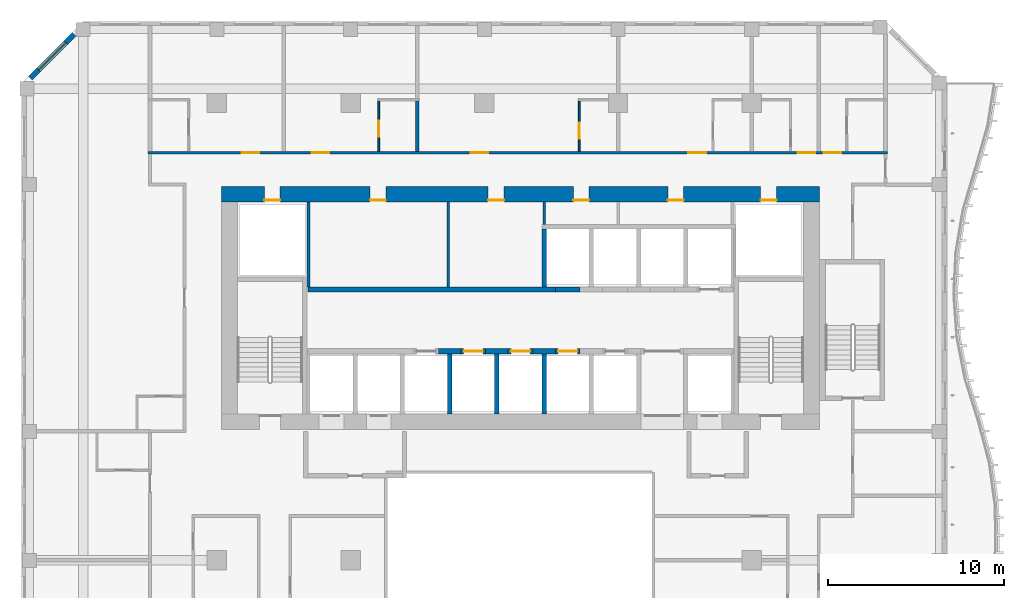
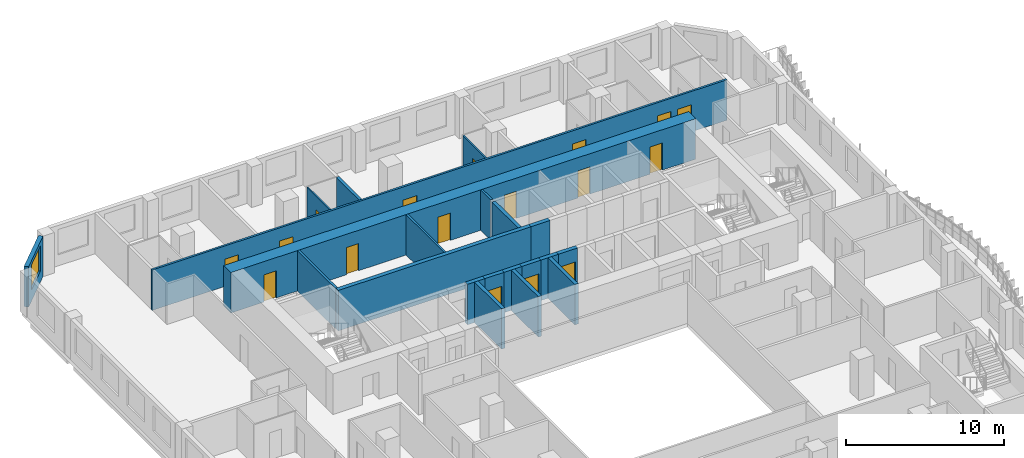
# One storey, part 7 of 20: 21 walls, 17 doors, 1 window, 18 openings.
"""IFC4 building model written with IfcOpenShell, lengths in metres."""

from ifc_helpers import new_model, si_unit, direction, frame, frame_2d, origin, place, context, subcontext, project, spatial, rectangle, extrude, source, transform, mapped, material, layer, layer_set, type_object, element, fill, save


model = new_model("IFC4")

# Units and contexts
model_context = context("Model", 3, precision=1e-05, world=origin(), true_north=direction((0.0, 1.0)))
body_context = subcontext(model_context, "Body", "Model", "MODEL_VIEW")
ifc_project = project(units=[si_unit("LENGTHUNIT", "METRE"), si_unit("AREAUNIT", "SQUARE_METRE"), si_unit("VOLUMEUNIT", "CUBIC_METRE"), si_unit("PLANEANGLEUNIT", "RADIAN"), si_unit("MASSUNIT", "GRAM", prefix="KILO")], contexts=[model_context])

# Site, building, storey
site_placement = place(None, origin())
site = spatial("IfcSite", under=ifc_project, at=site_placement, CompositionType="ELEMENT")
building_placement = place(site_placement, origin())
building = spatial("IfcBuilding", under=site, at=building_placement, Name="Kilnfold Tower and Market Hall", CompositionType="ELEMENT")
storey_placement = place(building_placement, frame((0.0, 0.0, 157.5)))
storey = spatial("IfcBuildingStorey", under=building, at=storey_placement, Name="L36", CompositionType="ELEMENT", Elevation=157.5)

# Wall, openings, doors
ifc_material_1 = material(Name="Gypsum board on steel studs", Category="steel")
ifc_layer_1 = layer(ifc_material_1, 0.14990234375)
ifc_layer_set_1 = layer_set([ifc_layer_1], Name="Gypsum board on steel studs")
wall_type_1 = type_object("IfcWallType", Name="WALL CORRIDOR 150", PredefinedType="PARTITIONING", material=ifc_layer_set_1)
wall_1_placement = place(storey_placement, frame((-20.05908203125, 23.800048828125, 0.0), z_axis=(0.0, 0.0, 1.0), x_axis=(1.0, 0.0, 0.0)))
wall_1 = element("IfcWall", 1, at=wall_1_placement, inside=storey, type_object=wall_type_1, Name="Partition LY23.21", PredefinedType="PARTITIONING", context=body_context, shape_type="SweptSolid", body=[
    extrude(rectangle(XDim=41.9091796875, YDim=0.14990234375, at=frame_2d((20.95458984375, 0.0))), origin(), (0.0, 0.0, 1.0), 3.1201171875),
])
opening_1_placement = place(wall_1_placement, frame((5.29296875, 0.0, 0.0)))
opening_1 = element("IfcOpeningElement", 2, at=opening_1_placement, cuts=wall_1, Name="Opening D1", PredefinedType="OPENING", context=body_context, shape_type="SweptSolid", body=[
    extrude(rectangle(XDim=1.0, YDim=2.10009765625, at=frame_2d((0.5, 1.050048828125))), frame((0.0, 0.0849609375, 0.0), z_axis=(0.0, -1.0, 0.0), x_axis=(1.0, 0.0, 0.0)), (0.0, 0.0, 1.0), 0.169921875),
])
opening_2_placement = place(wall_1_placement, frame((9.27490234375, 0.0, 0.0)))
opening_2 = element("IfcOpeningElement", 3, at=opening_2_placement, cuts=wall_1, Name="Opening D1", PredefinedType="OPENING", context=body_context, shape_type="SweptSolid", body=[
    extrude(rectangle(XDim=1.0, YDim=2.10009765625, at=frame_2d((0.5, 1.050048828125))), frame((0.0, 0.0849609375, 0.0), z_axis=(0.0, -1.0, 0.0), x_axis=(1.0, 0.0, 0.0)), (0.0, 0.0, 1.0), 0.169921875),
])
opening_3_placement = place(wall_1_placement, frame((18.2919921875, 0.0, 0.0)))
opening_3 = element("IfcOpeningElement", 4, at=opening_3_placement, cuts=wall_1, Name="Opening D1", PredefinedType="OPENING", context=body_context, shape_type="SweptSolid", body=[
    extrude(rectangle(XDim=1.0, YDim=2.10009765625, at=frame_2d((0.5, 1.050048828125))), frame((0.0, 0.0849609375, 0.0), z_axis=(0.0, -1.0, 0.0), x_axis=(1.0, 0.0, 0.0)), (0.0, 0.0, 1.0), 0.169921875),
])
opening_4_placement = place(wall_1_placement, frame((30.635986328125, 0.0, 0.0)))
opening_4 = element("IfcOpeningElement", 5, at=opening_4_placement, cuts=wall_1, Name="Opening D1", PredefinedType="OPENING", context=body_context, shape_type="SweptSolid", body=[
    extrude(rectangle(XDim=1.0, YDim=2.10009765625, at=frame_2d((0.5, 1.050048828125))), frame((0.0, 0.0849609375, 0.0), z_axis=(0.0, -1.0, 0.0), x_axis=(1.0, 0.0, 0.0)), (0.0, 0.0, 1.0), 0.169921875),
])
opening_5_placement = place(wall_1_placement, frame((36.827880859375, 0.0, 0.0)))
opening_5 = element("IfcOpeningElement", 6, at=opening_5_placement, cuts=wall_1, Name="Opening D1", PredefinedType="OPENING", context=body_context, shape_type="SweptSolid", body=[
    extrude(rectangle(XDim=1.0, YDim=2.10009765625, at=frame_2d((0.5, 1.050048828125))), frame((0.0, 0.0849609375, 0.0), z_axis=(0.0, -1.0, 0.0), x_axis=(1.0, 0.0, 0.0)), (0.0, 0.0, 1.0), 0.169921875),
])
opening_6_placement = place(wall_1_placement, frame((38.31396484375, 0.0, 0.0)))
opening_6 = element("IfcOpeningElement", 7, at=opening_6_placement, cuts=wall_1, Name="Opening D1", PredefinedType="OPENING", context=body_context, shape_type="SweptSolid", body=[
    extrude(rectangle(XDim=1.0, YDim=2.10009765625, at=frame_2d((0.5, 1.050048828125))), frame((0.0, 0.0849609375, 0.0), z_axis=(0.0, -1.0, 0.0), x_axis=(1.0, 0.0, 0.0)), (0.0, 0.0, 1.0), 0.169921875),
])
ifc_material_2 = material(Name="Timber veneer door leaf in steel frame", Category="steel")
door_type_1 = type_object("IfcDoorType", Name="DOOR ENTRY 1000 X2100", OperationType="NOTDEFINED", PredefinedType="DOOR", material=ifc_material_2)
door_1_placement = place(opening_1_placement, origin())
door_1 = element("IfcDoor", 8, at=door_1_placement, inside=storey, type_object=door_type_1, Name="Door D1", OperationType="SINGLE_SWING_LEFT", OverallHeight=2.10009765625, OverallWidth=1.0, PredefinedType="DOOR", context=body_context, shape_type="SweptSolid", body=[
    extrude(rectangle(XDim=1.0, YDim=2.10009765625, at=frame_2d((0.5, 1.050048828125))), frame((0.0, 0.02490234375, 0.0), z_axis=(0.0, -1.0, 0.0), x_axis=(1.0, 0.0, 0.0)), (0.0, 0.0, 1.0), 0.050048828125),
])
fill(opening_1, door_1)
door_2_placement = place(opening_2_placement, origin())
door_2 = element("IfcDoor", 9, at=door_2_placement, inside=storey, type_object=door_type_1, Name="Door D1", OperationType="SINGLE_SWING_LEFT", OverallHeight=2.10009765625, OverallWidth=1.0, PredefinedType="DOOR", context=body_context, shape_type="SweptSolid", body=[
    extrude(rectangle(XDim=1.0, YDim=2.10009765625, at=frame_2d((0.5, 1.050048828125))), frame((0.0, 0.02490234375, 0.0), z_axis=(0.0, -1.0, 0.0), x_axis=(1.0, 0.0, 0.0)), (0.0, 0.0, 1.0), 0.050048828125),
])
fill(opening_2, door_2)
door_3_placement = place(opening_3_placement, origin())
door_3 = element("IfcDoor", 10, at=door_3_placement, inside=storey, type_object=door_type_1, Name="Door D1", OperationType="SINGLE_SWING_RIGHT", OverallHeight=2.10009765625, OverallWidth=1.0, PredefinedType="DOOR", context=body_context, shape_type="SweptSolid", body=[
    extrude(rectangle(XDim=1.0, YDim=2.10009765625, at=frame_2d((0.5, 1.050048828125))), frame((0.0, 0.02490234375, 0.0), z_axis=(0.0, -1.0, 0.0), x_axis=(1.0, 0.0, 0.0)), (0.0, 0.0, 1.0), 0.050048828125),
])
fill(opening_3, door_3)
door_4_placement = place(opening_4_placement, origin())
door_4 = element("IfcDoor", 11, at=door_4_placement, inside=storey, type_object=door_type_1, Name="Door D1", OperationType="SINGLE_SWING_LEFT", OverallHeight=2.10009765625, OverallWidth=1.0, PredefinedType="DOOR", context=body_context, shape_type="SweptSolid", body=[
    extrude(rectangle(XDim=1.0, YDim=2.10009765625, at=frame_2d((0.5, 1.050048828125))), frame((0.0, 0.02490234375, 0.0), z_axis=(0.0, -1.0, 0.0), x_axis=(1.0, 0.0, 0.0)), (0.0, 0.0, 1.0), 0.050048828125),
])
fill(opening_4, door_4)
door_5_placement = place(opening_5_placement, origin())
door_5 = element("IfcDoor", 12, at=door_5_placement, inside=storey, type_object=door_type_1, Name="Door D1", OperationType="SINGLE_SWING_LEFT", OverallHeight=2.10009765625, OverallWidth=1.0, PredefinedType="DOOR", context=body_context, shape_type="SweptSolid", body=[
    extrude(rectangle(XDim=1.0, YDim=2.10009765625, at=frame_2d((0.5, 1.050048828125))), frame((0.0, 0.02490234375, 0.0), z_axis=(0.0, -1.0, 0.0), x_axis=(1.0, 0.0, 0.0)), (0.0, 0.0, 1.0), 0.050048828125),
])
fill(opening_5, door_5)
door_6_placement = place(opening_6_placement, origin())
door_6 = element("IfcDoor", 13, at=door_6_placement, inside=storey, type_object=door_type_1, Name="Door D1", OperationType="SINGLE_SWING_RIGHT", OverallHeight=2.10009765625, OverallWidth=1.0, PredefinedType="DOOR", context=body_context, shape_type="SweptSolid", body=[
    extrude(rectangle(XDim=1.0, YDim=2.10009765625, at=frame_2d((0.5, 1.050048828125))), frame((0.0, 0.02490234375, 0.0), z_axis=(0.0, -1.0, 0.0), x_axis=(1.0, 0.0, 0.0)), (0.0, 0.0, 1.0), 0.050048828125),
])
fill(opening_6, door_6)

# Wall, opening, door
ifc_material_3 = material(Name="Gypsum board on steel studs", Category="steel")
ifc_layer_2 = layer(ifc_material_3, 0.10009765625)
ifc_layer_set_2 = layer_set([ifc_layer_2], Name="Gypsum board on steel studs")
wall_type_2 = type_object("IfcWallType", Name="WALL PARTITION 100", PredefinedType="PARTITIONING", material=ifc_layer_set_2)
wall_2_placement = place(storey_placement, frame((-6.991943359375, 23.876953125, 0.0), z_axis=(0.0, 0.0, 1.0), x_axis=(0.0, 1.0, 0.0)))
wall_2 = element("IfcWall", 14, at=wall_2_placement, inside=storey, type_object=wall_type_2, Name="Partition LY23.79", PredefinedType="PARTITIONING", context=body_context, shape_type="SweptSolid", body=[
    extrude(rectangle(XDim=2.875, YDim=0.10009765625, at=frame_2d((1.4375, 0.0))), origin(), (0.0, 0.0, 1.0), 3.1201171875),
])
opening_7_placement = place(wall_2_placement, frame((0.830078125, 0.0, 0.0)))
opening_7 = element("IfcOpeningElement", 15, at=opening_7_placement, cuts=wall_2, Name="Opening D3", PredefinedType="OPENING", context=body_context, shape_type="SweptSolid", body=[
    extrude(rectangle(XDim=0.89990234375, YDim=2.10009765625, at=frame_2d((0.449951171875, 1.050048828125))), frame((0.0, 0.06005859375, 0.0), z_axis=(0.0, -1.0, 0.0), x_axis=(1.0, 0.0, 0.0)), (0.0, 0.0, 1.0), 0.1201171875),
])
ifc_material_4 = material(Name="Timber veneer door leaf in steel frame", Category="steel")
door_type_2 = type_object("IfcDoorType", Name="DOOR WC 900 X2100", OperationType="NOTDEFINED", PredefinedType="DOOR", material=ifc_material_4)
door_7_placement = place(opening_7_placement, origin())
door_7 = element("IfcDoor", 16, at=door_7_placement, inside=storey, type_object=door_type_2, Name="Door D3", OperationType="SINGLE_SWING_LEFT", OverallHeight=2.10009765625, OverallWidth=0.89990234375, PredefinedType="DOOR", context=body_context, shape_type="SweptSolid", body=[
    extrude(rectangle(XDim=0.89990234375, YDim=2.10009765625, at=frame_2d((0.449951171875, 1.050048828125))), frame((0.0, 0.02490234375, 0.0), z_axis=(0.0, -1.0, 0.0), x_axis=(1.0, 0.0, 0.0)), (0.0, 0.0, 1.0), 0.050048828125),
])
fill(opening_7, door_7)

wall_3_placement = place(storey_placement, frame((4.383056640625, 23.876953125, 0.0), z_axis=(0.0, 0.0, 1.0), x_axis=(0.0, 1.0, 0.0)))
wall_3 = element("IfcWall", 17, at=wall_3_placement, inside=storey, type_object=wall_type_2, Name="Partition LY23.83", PredefinedType="PARTITIONING", context=body_context, shape_type="SweptSolid", body=[
    extrude(rectangle(XDim=2.875, YDim=0.10009765625, at=frame_2d((1.4375, 0.0))), origin(), (0.0, 0.0, 1.0), 3.1201171875),
])
opening_8_placement = place(wall_3_placement, frame((0.72509765625, 0.0, 0.0)))
opening_8 = element("IfcOpeningElement", 18, at=opening_8_placement, cuts=wall_3, Name="Opening D3", PredefinedType="OPENING", context=body_context, shape_type="SweptSolid", body=[
    extrude(rectangle(XDim=0.89990234375, YDim=2.10009765625, at=frame_2d((0.449951171875, 1.050048828125))), frame((0.0, 0.06005859375, 0.0), z_axis=(0.0, -1.0, 0.0), x_axis=(1.0, 0.0, 0.0)), (0.0, 0.0, 1.0), 0.1201171875),
])
door_8_placement = place(opening_8_placement, origin())
door_8 = element("IfcDoor", 19, at=door_8_placement, inside=storey, type_object=door_type_2, Name="Door D3", OperationType="SINGLE_SWING_RIGHT", OverallHeight=2.10009765625, OverallWidth=0.89990234375, PredefinedType="DOOR", context=body_context, shape_type="SweptSolid", body=[
    extrude(rectangle(XDim=0.89990234375, YDim=2.10009765625, at=frame_2d((0.449951171875, 1.050048828125))), frame((0.0, 0.02490234375, 0.0), z_axis=(0.0, -1.0, 0.0), x_axis=(1.0, 0.0, 0.0)), (0.0, 0.0, 1.0), 0.050048828125),
])
fill(opening_8, door_8)

# Wall
ifc_material_5 = material(Name="Gypsum board on steel studs", Category="steel")
ifc_layer_3 = layer(ifc_material_5, 0.199951171875)
ifc_layer_set_3 = layer_set([ifc_layer_3], Name="Gypsum board on steel studs")
wall_type_3 = type_object("IfcWallType", Name="WALL PARTY 200", PredefinedType="PARTITIONING", material=ifc_layer_set_3)
wall_4_placement = place(storey_placement, frame((-4.7919921875, 23.876953125, 0.0), z_axis=(0.0, 0.0, 1.0), x_axis=(0.0, 1.0, 0.0)))
element("IfcWall", 20, at=wall_4_placement, inside=storey, type_object=wall_type_3, Name="Partition LY23.81", PredefinedType="PARTITIONING", context=body_context, shape_type="SweptSolid", body=[
    extrude(rectangle(XDim=2.875, YDim=0.199951171875, at=frame_2d((1.4375, 0.0))), origin(), (0.0, 0.0, 1.0), 3.1201171875),
])

# Wall, openings, doors
ifc_material_6 = material(Name="Concrete C70", Category="concrete")
ifc_layer_4 = layer(ifc_material_6, 0.89990234375)
ifc_layer_set_4 = layer_set([ifc_layer_4], Name="Concrete C70")
wall_type_4 = type_object("IfcWallType", Name="CORE WALL 900 C70", PredefinedType="SHEAR", material=ifc_layer_set_4)
shared_shape_1 = source(origin(), body_context, "Body", "SweptSolid", [
    extrude(rectangle(XDim=33.89990234375, YDim=0.89990234375, at=frame_2d((16.949951171875, 0.0))), origin(), (0.0, 0.0, 1.0), 3.1201171875),
])
wall_5_placement = place(storey_placement, frame((-15.89990234375, 21.449951171875, 0.0), z_axis=(0.0, 0.0, 1.0), x_axis=(1.0, 0.0, 0.0)))
wall_5 = element("IfcWall", 21, at=wall_5_placement, inside=storey, type_object=wall_type_4, Name="Core outer wall north", PredefinedType="SHEAR", context=body_context, shape_type="MappedRepresentation", body=[
    mapped(shared_shape_1, transform((0.0, 0.0, 0.0))),
])
opening_9_placement = place(wall_5_placement, frame((8.419921875, 0.0, 0.0)))
opening_9 = element("IfcOpeningElement", 22, at=opening_9_placement, cuts=wall_5, Name="Opening KD1", PredefinedType="OPENING", context=body_context, shape_type="SweptSolid", body=[
    extrude(rectangle(XDim=0.89990234375, YDim=2.10009765625, at=frame_2d((0.449951171875, 1.050048828125))), frame((0.0, 0.4599609375, 0.0), z_axis=(0.0, -1.0, 0.0), x_axis=(1.0, 0.0, 0.0)), (0.0, 0.0, 1.0), 0.919921875),
])
opening_10_placement = place(wall_5_placement, frame((15.119873046875, 0.0, 0.0)))
opening_10 = element("IfcOpeningElement", 23, at=opening_10_placement, cuts=wall_5, Name="Opening KD1", PredefinedType="OPENING", context=body_context, shape_type="SweptSolid", body=[
    extrude(rectangle(XDim=0.89990234375, YDim=2.10009765625, at=frame_2d((0.449951171875, 1.050048828125))), frame((0.0, 0.4599609375, 0.0), z_axis=(0.0, -1.0, 0.0), x_axis=(1.0, 0.0, 0.0)), (0.0, 0.0, 1.0), 0.919921875),
])
opening_11_placement = place(wall_5_placement, frame((19.94384765625, 0.0, 0.0)))
opening_11 = element("IfcOpeningElement", 24, at=opening_11_placement, cuts=wall_5, Name="Opening KD1", PredefinedType="OPENING", context=body_context, shape_type="SweptSolid", body=[
    extrude(rectangle(XDim=0.89990234375, YDim=2.10009765625, at=frame_2d((0.449951171875, 1.050048828125))), frame((0.0, 0.4599609375, 0.0), z_axis=(0.0, -1.0, 0.0), x_axis=(1.0, 0.0, 0.0)), (0.0, 0.0, 1.0), 0.919921875),
])
opening_12_placement = place(wall_5_placement, frame((25.3037109375, 0.0, 0.0)))
opening_12 = element("IfcOpeningElement", 25, at=opening_12_placement, cuts=wall_5, Name="Opening KD1", PredefinedType="OPENING", context=body_context, shape_type="SweptSolid", body=[
    extrude(rectangle(XDim=0.89990234375, YDim=2.10009765625, at=frame_2d((0.449951171875, 1.050048828125))), frame((0.0, 0.4599609375, 0.0), z_axis=(0.0, -1.0, 0.0), x_axis=(1.0, 0.0, 0.0)), (0.0, 0.0, 1.0), 0.919921875),
])
opening_13_placement = place(wall_5_placement, frame((2.425048828125, 0.0, 0.0)))
opening_13 = element("IfcOpeningElement", 26, at=opening_13_placement, cuts=wall_5, Name="Opening KD1", PredefinedType="OPENING", context=body_context, shape_type="SweptSolid", body=[
    extrude(rectangle(XDim=0.89990234375, YDim=2.10009765625, at=frame_2d((0.449951171875, 1.050048828125))), frame((0.0, 0.4599609375, 0.0), z_axis=(0.0, -1.0, 0.0), x_axis=(1.0, 0.0, 0.0)), (0.0, 0.0, 1.0), 0.919921875),
])
opening_14_placement = place(wall_5_placement, frame((30.574951171875, 0.0, 0.0)))
opening_14 = element("IfcOpeningElement", 27, at=opening_14_placement, cuts=wall_5, Name="Opening KD1", PredefinedType="OPENING", context=body_context, shape_type="SweptSolid", body=[
    extrude(rectangle(XDim=0.89990234375, YDim=2.10009765625, at=frame_2d((0.449951171875, 1.050048828125))), frame((0.0, 0.4599609375, 0.0), z_axis=(0.0, -1.0, 0.0), x_axis=(1.0, 0.0, 0.0)), (0.0, 0.0, 1.0), 0.919921875),
])
ifc_material_7 = material(Name="Steel door set with fire-resisting leaf", Category="steel")
door_type_3 = type_object("IfcDoorType", Name="SERVICE DOOR 900X2100", OperationType="NOTDEFINED", PredefinedType="DOOR", material=ifc_material_7)
door_9_placement = place(opening_9_placement, origin())
door_9 = element("IfcDoor", 28, at=door_9_placement, inside=storey, type_object=door_type_3, Name="Core service door", OperationType="SINGLE_SWING_RIGHT", OverallHeight=2.10009765625, OverallWidth=0.89990234375, PredefinedType="DOOR", context=body_context, shape_type="SweptSolid", body=[
    extrude(rectangle(XDim=0.89990234375, YDim=2.10009765625, at=frame_2d((0.449951171875, 1.050048828125))), frame((0.0, -0.30517578125, 0.0), z_axis=(0.0, -1.0, 0.0), x_axis=(1.0, 0.0, 0.0)), (0.0, 0.0, 1.0), 0.050048828125),
])
fill(opening_9, door_9)
door_10_placement = place(opening_10_placement, origin())
door_10 = element("IfcDoor", 29, at=door_10_placement, inside=storey, type_object=door_type_3, Name="Core service door", OperationType="SINGLE_SWING_LEFT", OverallHeight=2.10009765625, OverallWidth=0.89990234375, PredefinedType="DOOR", context=body_context, shape_type="SweptSolid", body=[
    extrude(rectangle(XDim=0.89990234375, YDim=2.10009765625, at=frame_2d((0.449951171875, 1.050048828125))), frame((0.0, -0.30517578125, 0.0), z_axis=(0.0, -1.0, 0.0), x_axis=(1.0, 0.0, 0.0)), (0.0, 0.0, 1.0), 0.050048828125),
])
fill(opening_10, door_10)
door_11_placement = place(opening_11_placement, origin())
door_11 = element("IfcDoor", 30, at=door_11_placement, inside=storey, type_object=door_type_3, Name="Core service door", OperationType="SINGLE_SWING_RIGHT", OverallHeight=2.10009765625, OverallWidth=0.89990234375, PredefinedType="DOOR", context=body_context, shape_type="SweptSolid", body=[
    extrude(rectangle(XDim=0.89990234375, YDim=2.10009765625, at=frame_2d((0.449951171875, 1.050048828125))), frame((0.0, -0.30517578125, 0.0), z_axis=(0.0, -1.0, 0.0), x_axis=(1.0, 0.0, 0.0)), (0.0, 0.0, 1.0), 0.050048828125),
])
fill(opening_11, door_11)
door_12_placement = place(opening_12_placement, origin())
door_12 = element("IfcDoor", 31, at=door_12_placement, inside=storey, type_object=door_type_3, Name="Core service door", OperationType="SINGLE_SWING_LEFT", OverallHeight=2.10009765625, OverallWidth=0.89990234375, PredefinedType="DOOR", context=body_context, shape_type="SweptSolid", body=[
    extrude(rectangle(XDim=0.89990234375, YDim=2.10009765625, at=frame_2d((0.449951171875, 1.050048828125))), frame((0.0, -0.30517578125, 0.0), z_axis=(0.0, -1.0, 0.0), x_axis=(1.0, 0.0, 0.0)), (0.0, 0.0, 1.0), 0.050048828125),
])
fill(opening_12, door_12)
door_13_placement = place(opening_13_placement, origin())
door_13 = element("IfcDoor", 32, at=door_13_placement, inside=storey, type_object=door_type_3, Name="Electrical riser access door", OperationType="SINGLE_SWING_RIGHT", OverallHeight=2.10009765625, OverallWidth=0.89990234375, PredefinedType="DOOR", context=body_context, shape_type="SweptSolid", body=[
    extrude(rectangle(XDim=0.89990234375, YDim=2.10009765625, at=frame_2d((0.449951171875, 1.050048828125))), frame((0.0, -0.30517578125, 0.0), z_axis=(0.0, -1.0, 0.0), x_axis=(1.0, 0.0, 0.0)), (0.0, 0.0, 1.0), 0.050048828125),
])
fill(opening_13, door_13)
door_14_placement = place(opening_14_placement, origin())
door_14 = element("IfcDoor", 33, at=door_14_placement, inside=storey, type_object=door_type_3, Name="Mechanical riser access door", OperationType="SINGLE_SWING_LEFT", OverallHeight=2.10009765625, OverallWidth=0.89990234375, PredefinedType="DOOR", context=body_context, shape_type="SweptSolid", body=[
    extrude(rectangle(XDim=0.89990234375, YDim=2.10009765625, at=frame_2d((0.449951171875, 1.050048828125))), frame((0.0, -0.30517578125, 0.0), z_axis=(0.0, -1.0, 0.0), x_axis=(1.0, 0.0, 0.0)), (0.0, 0.0, 1.0), 0.050048828125),
])
fill(opening_14, door_14)

# Walls
ifc_material_8 = material(Name="Concrete C70", Category="concrete")
ifc_layer_5 = layer(ifc_material_8, 0.300048828125)
ifc_layer_set_5 = layer_set([ifc_layer_5], Name="Concrete C70")
wall_type_5 = type_object("IfcWallType", Name="CORE WALL 300 C70", PredefinedType="SHEAR", material=ifc_layer_set_5)
shared_shape_2 = source(origin(), body_context, "Body", "SweptSolid", [
    extrude(rectangle(XDim=1.280029296875, YDim=0.300048828125, at=frame_2d((0.64013671875, 0.0))), origin(), (0.0, 0.0, 1.0), 3.1201171875),
])
for number, where, z_axis, x_axis, name in (
    (34, (-3.610107421875, 12.550048828125, 0.0), (0.0, 0.0, 1.0), (1.0, 0.0, 0.0), "Core spine wall"),
    (35, (-0.929931640625, 12.550048828125, 0.0), (0.0, 0.0, 1.0), (1.0, 0.0, 0.0), "Core spine wall"),
    (36, (1.75, 12.550048828125, 0.0), (0.0, 0.0, 1.0), (1.0, 0.0, 0.0), "Core spine wall"),
):
    element("IfcWall", number, at=place(storey_placement, frame(where, z_axis=z_axis, x_axis=x_axis)), inside=storey, type_object=wall_type_5, Name=name, PredefinedType="SHEAR", context=body_context, shape_type="MappedRepresentation", body=[
        mapped(shared_shape_2, transform((0.0, 0.0, 0.0))),
    ])
shared_shape_3 = source(origin(), body_context, "Body", "SweptSolid", [
    extrude(rectangle(XDim=14.0400390625, YDim=0.300048828125, at=frame_2d((7.02001953125, 0.0))), origin(), (0.0, 0.0, 1.0), 3.1201171875),
])
wall_6_placement = place(storey_placement, frame((-11.010009765625, 16.050048828125, 0.0), z_axis=(0.0, 0.0, 1.0), x_axis=(1.0, 0.0, 0.0)))
element("IfcWall", 37, at=wall_6_placement, inside=storey, type_object=wall_type_5, Name="Core spine wall", PredefinedType="SHEAR", context=body_context, shape_type="MappedRepresentation", body=[
    mapped(shared_shape_3, transform((0.0, 0.0, 0.0))),
])

# Wall, opening, window
ifc_material_9 = material(Name="Precast concrete C50/60", Category="concrete")
ifc_layer_6 = layer(ifc_material_9, 0.300048828125)
ifc_layer_set_6 = layer_set([ifc_layer_6], Name="Precast concrete C50/60")
wall_type_6 = type_object("IfcWallType", Name="PRECAST WALL 300", PredefinedType="SOLIDWALL", material=ifc_layer_set_6)
shared_shape_4 = source(origin(), body_context, "Body", "SweptSolid", [
    extrude(rectangle(XDim=3.500244140625, YDim=0.300048828125, at=frame_2d((1.75, 0.0))), origin(), (0.0, 0.0, 1.0), 3.1201171875),
])
wall_7_placement = place(storey_placement, frame((-24.268798828125, 30.518798828125, 0.0), z_axis=(0.0, 0.0, 1.0), x_axis=(-0.707141656123, -0.70707190453, 0.0)))
wall_7 = element("IfcWall", 38, at=wall_7_placement, inside=storey, type_object=wall_type_6, Name="External wall L36 NW", PredefinedType="SOLIDWALL", context=body_context, shape_type="MappedRepresentation", body=[
    mapped(shared_shape_4, transform((0.0, 0.0, 0.0))),
])
opening_15_placement = place(wall_7_placement, frame((0.650146484375, 0.0, 0.85009765625)))
opening_15 = element("IfcOpeningElement", 39, at=opening_15_placement, cuts=wall_7, Name="Opening W2", PredefinedType="OPENING", context=body_context, shape_type="SweptSolid", body=[
    extrude(rectangle(XDim=2.199951171875, YDim=1.949951171875, at=frame_2d((1.10009765625, 0.97509765625))), frame((0.0, 0.16015625, 0.0), z_axis=(0.0, -1.0, 0.0), x_axis=(1.0, 0.0, 0.0)), (0.0, 0.0, 1.0), 0.320068359375),
])
ifc_material_10 = material(Name="Aluminium frame and double glazing", Category="aluminium")
window_type = type_object("IfcWindowType", Name="WINDOW W2 2200X1950", PartitioningType="SINGLE_PANEL", PredefinedType="WINDOW", material=ifc_material_10)
window_placement = place(opening_15_placement, origin())
window = element("IfcWindow", 40, at=window_placement, inside=storey, type_object=window_type, Name="Window W2 L36 NW-1", OverallHeight=1.949951171875, OverallWidth=2.199951171875, PartitioningType="SINGLE_PANEL", PredefinedType="WINDOW", context=body_context, shape_type="SweptSolid", body=[
    extrude(rectangle(XDim=2.199951171875, YDim=1.949951171875, at=frame_2d((1.10009765625, 0.97509765625))), frame((0.0, 0.030029296875, 0.0), z_axis=(0.0, -1.0, 0.0), x_axis=(1.0, 0.0, 0.0)), (0.0, 0.0, 1.0), 0.06005859375),
])
fill(opening_15, window)

# Wall, opening, door
ifc_material_11 = material(Name="Gypsum shaft wall system")
ifc_layer_7 = layer(ifc_material_11, 0.300048828125)
ifc_layer_set_7 = layer_set([ifc_layer_7], Name="Gypsum shaft wall system")
wall_type_7 = type_object("IfcWallType", Name="SHAFT WALL 300", PredefinedType="PARTITIONING", material=ifc_layer_set_7)
shared_shape_5 = source(origin(), body_context, "Body", "SweptSolid", [
    extrude(rectangle(XDim=1.39990234375, YDim=0.300048828125, at=frame_2d((0.699951171875, 0.0))), origin(), (0.0, 0.0, 1.0), 3.1201171875),
])
wall_8_placement = place(storey_placement, frame((0.35009765625, 12.550048828125, 0.0), z_axis=(0.0, 0.0, 1.0), x_axis=(1.0, 0.0, 0.0)))
wall_8 = element("IfcWall", 41, at=wall_8_placement, inside=storey, type_object=wall_type_7, Name="Lift shaft front wall", PredefinedType="PARTITIONING", context=body_context, shape_type="MappedRepresentation", body=[
    mapped(shared_shape_5, transform((0.0, 0.0, 0.0))),
])
opening_16_placement = place(wall_8_placement, frame((0.14990234375, 0.0, 0.0)))
opening_16 = element("IfcOpeningElement", 42, at=opening_16_placement, cuts=wall_8, Name="Opening LD2", PredefinedType="OPENING", context=body_context, shape_type="SweptSolid", body=[
    extrude(rectangle(XDim=1.10009765625, YDim=2.10009765625, at=frame_2d((0.550048828125, 1.050048828125))), frame((0.0, 0.16015625, 0.0), z_axis=(0.0, -1.0, 0.0), x_axis=(1.0, 0.0, 0.0)), (0.0, 0.0, 1.0), 0.320068359375),
])
ifc_material_12 = material(Name="Steel door set with fire-resisting leaf", Category="steel")
door_type_4 = type_object("IfcDoorType", Name="LANDING DOOR 1100X2100", OperationType="NOTDEFINED", PredefinedType="DOOR", material=ifc_material_12)
door_15_placement = place(opening_16_placement, origin())
door_15 = element("IfcDoor", 43, at=door_15_placement, inside=storey, type_object=door_type_4, Name="Landing door MR3", OperationType="DOUBLE_DOOR_SLIDING", OverallHeight=2.10009765625, OverallWidth=1.10009765625, PredefinedType="DOOR", context=body_context, shape_type="SweptSolid", body=[
    extrude(rectangle(XDim=1.10009765625, YDim=2.10009765625, at=frame_2d((0.550048828125, 1.050048828125))), frame((0.0, 0.02490234375, 0.0), z_axis=(0.0, -1.0, 0.0), x_axis=(1.0, 0.0, 0.0)), (0.0, 0.0, 1.0), 0.050048828125),
])
fill(opening_16, door_15)

wall_9_placement = place(storey_placement, frame((3.030029296875, 12.550048828125, 0.0), z_axis=(0.0, 0.0, 1.0), x_axis=(1.0, 0.0, 0.0)))
wall_9 = element("IfcWall", 44, at=wall_9_placement, inside=storey, type_object=wall_type_7, Name="Lift shaft front wall", PredefinedType="PARTITIONING", context=body_context, shape_type="MappedRepresentation", body=[
    mapped(shared_shape_5, transform((0.0, 0.0, 0.0))),
])
opening_17_placement = place(wall_9_placement, frame((0.14990234375, 0.0, 0.0)))
opening_17 = element("IfcOpeningElement", 45, at=opening_17_placement, cuts=wall_9, Name="Opening LD2", PredefinedType="OPENING", context=body_context, shape_type="SweptSolid", body=[
    extrude(rectangle(XDim=1.10009765625, YDim=2.10009765625, at=frame_2d((0.550048828125, 1.050048828125))), frame((0.0, 0.16015625, 0.0), z_axis=(0.0, -1.0, 0.0), x_axis=(1.0, 0.0, 0.0)), (0.0, 0.0, 1.0), 0.320068359375),
])
door_16_placement = place(opening_17_placement, origin())
door_16 = element("IfcDoor", 46, at=door_16_placement, inside=storey, type_object=door_type_4, Name="Landing door MR4", OperationType="DOUBLE_DOOR_SLIDING", OverallHeight=2.10009765625, OverallWidth=1.10009765625, PredefinedType="DOOR", context=body_context, shape_type="SweptSolid", body=[
    extrude(rectangle(XDim=1.10009765625, YDim=2.10009765625, at=frame_2d((0.550048828125, 1.050048828125))), frame((0.0, 0.02490234375, 0.0), z_axis=(0.0, -1.0, 0.0), x_axis=(1.0, 0.0, 0.0)), (0.0, 0.0, 1.0), 0.050048828125),
])
fill(opening_17, door_16)

# Wall
wall_10_placement = place(storey_placement, frame((3.030029296875, 16.050048828125, 0.0), z_axis=(0.0, 0.0, 1.0), x_axis=(1.0, 0.0, 0.0)))
element("IfcWall", 47, at=wall_10_placement, inside=storey, type_object=wall_type_7, Name="Lift shaft front wall", PredefinedType="PARTITIONING", context=body_context, shape_type="MappedRepresentation", body=[
    mapped(shared_shape_5, transform((0.0, 0.0, 0.0))),
])

# Wall, opening, door
shared_shape_6 = source(origin(), body_context, "Body", "SweptSolid", [
    extrude(rectangle(XDim=1.400146484375, YDim=0.300048828125, at=frame_2d((0.7001953125, 0.0))), origin(), (0.0, 0.0, 1.0), 3.1201171875),
])
wall_11_placement = place(storey_placement, frame((-2.330078125, 12.550048828125, 0.0), z_axis=(0.0, 0.0, 1.0), x_axis=(1.0, 0.0, 0.0)))
wall_11 = element("IfcWall", 48, at=wall_11_placement, inside=storey, type_object=wall_type_7, Name="Lift shaft front wall", PredefinedType="PARTITIONING", context=body_context, shape_type="MappedRepresentation", body=[
    mapped(shared_shape_6, transform((0.0, 0.0, 0.0))),
])
opening_18_placement = place(wall_11_placement, frame((0.14990234375, 0.0, 0.0)))
opening_18 = element("IfcOpeningElement", 49, at=opening_18_placement, cuts=wall_11, Name="Opening LD2", PredefinedType="OPENING", context=body_context, shape_type="SweptSolid", body=[
    extrude(rectangle(XDim=1.10009765625, YDim=2.10009765625, at=frame_2d((0.550048828125, 1.050048828125))), frame((0.0, 0.16015625, 0.0), z_axis=(0.0, -1.0, 0.0), x_axis=(1.0, 0.0, 0.0)), (0.0, 0.0, 1.0), 0.320068359375),
])
door_17_placement = place(opening_18_placement, origin())
door_17 = element("IfcDoor", 50, at=door_17_placement, inside=storey, type_object=door_type_4, Name="Landing door MR2", OperationType="DOUBLE_DOOR_SLIDING", OverallHeight=2.10009765625, OverallWidth=1.10009765625, PredefinedType="DOOR", context=body_context, shape_type="SweptSolid", body=[
    extrude(rectangle(XDim=1.10009765625, YDim=2.10009765625, at=frame_2d((0.550048828125, 1.050048828125))), frame((0.0, 0.02490234375, 0.0), z_axis=(0.0, -1.0, 0.0), x_axis=(1.0, 0.0, 0.0)), (0.0, 0.0, 1.0), 0.050048828125),
])
fill(opening_18, door_17)

# Walls
ifc_material_13 = material(Name="Gypsum shaft wall system")
ifc_layer_8 = layer(ifc_material_13, 0.1650390625)
ifc_layer_set_8 = layer_set([ifc_layer_8], Name="Gypsum shaft wall system")
wall_type_8 = type_object("IfcWallType", Name="SHAFT WALL 165", PredefinedType="PARTITIONING", material=ifc_layer_set_8)
shared_shape_7 = source(origin(), body_context, "Body", "SweptSolid", [
    extrude(rectangle(XDim=4.800048828125, YDim=0.1650390625, at=frame_2d((2.39990234375, 0.0))), origin(), (0.0, 0.0, 1.0), 3.1201171875),
])
wall_12_placement = place(storey_placement, frame((-10.967529296875, 16.199951171875, 0.0), z_axis=(0.0, 0.0, 1.0), x_axis=(0.0, 1.0, 0.0)))
element("IfcWall", 51, at=wall_12_placement, inside=storey, type_object=wall_type_8, Name="Lift shaft wall", PredefinedType="PARTITIONING", context=body_context, shape_type="MappedRepresentation", body=[
    mapped(shared_shape_7, transform((0.0, 0.0, 0.0))),
])
ifc_material_14 = material(Name="Gypsum shaft wall system")
ifc_layer_9 = layer(ifc_material_14, 0.25)
ifc_layer_set_9 = layer_set([ifc_layer_9], Name="Gypsum shaft wall system")
wall_type_9 = type_object("IfcWallType", Name="SHAFT WALL 250", PredefinedType="PARTITIONING", material=ifc_layer_set_9)
shared_shape_8 = source(origin(), body_context, "Body", "SweptSolid", [
    extrude(rectangle(XDim=3.275146484375, YDim=0.25, at=frame_2d((1.6376953125, 0.0))), origin(), (0.0, 0.0, 1.0), 3.1201171875),
])
wall_13_placement = place(storey_placement, frame((2.389892578125, 16.199951171875, 0.0), z_axis=(0.0, 0.0, 1.0), x_axis=(0.0, 1.0, 0.0)))
element("IfcWall", 52, at=wall_13_placement, inside=storey, type_object=wall_type_9, Name="Lift shaft wall", PredefinedType="PARTITIONING", context=body_context, shape_type="MappedRepresentation", body=[
    mapped(shared_shape_8, transform((0.0, 0.0, 0.0))),
])
shared_shape_9 = source(origin(), body_context, "Body", "SweptSolid", [
    extrude(rectangle(XDim=3.39990234375, YDim=0.25, at=frame_2d((1.699951171875, 0.0))), origin(), (0.0, 0.0, 1.0), 3.1201171875),
])
for number, where, z_axis, x_axis, name in (
    (53, (2.389892578125, 9.0, 0.0), (0.0, 0.0, 1.0), (0.0, 1.0, 0.0), "Lift shaft wall"),
    (54, (-0.2900390625, 9.0, 0.0), (0.0, 0.0, 1.0), (0.0, 1.0, 0.0), "Lift shaft wall"),
    (55, (-2.969970703125, 9.0, 0.0), (0.0, 0.0, 1.0), (0.0, 1.0, 0.0), "Lift shaft wall"),
):
    element("IfcWall", number, at=place(storey_placement, frame(where, z_axis=z_axis, x_axis=x_axis)), inside=storey, type_object=wall_type_9, Name=name, PredefinedType="PARTITIONING", context=body_context, shape_type="MappedRepresentation", body=[
        mapped(shared_shape_9, transform((0.0, 0.0, 0.0))),
    ])
ifc_material_15 = material(Name="Gypsum shaft wall system")
ifc_layer_10 = layer(ifc_material_15, 0.14990234375)
ifc_layer_set_10 = layer_set([ifc_layer_10], Name="Gypsum shaft wall system")
wall_type_10 = type_object("IfcWallType", Name="ROOM WALL 150", PredefinedType="PARTITIONING", material=ifc_layer_set_10)
shared_shape_10 = source(origin(), body_context, "Body", "SweptSolid", [
    extrude(rectangle(XDim=4.800048828125, YDim=0.14990234375, at=frame_2d((2.39990234375, 0.0))), origin(), (0.0, 0.0, 1.0), 3.1201171875),
])
wall_14_placement = place(storey_placement, frame((-3.05029296875, 16.199951171875, 0.0), z_axis=(0.0, 0.0, 1.0), x_axis=(0.0, 1.0, 0.0)))
element("IfcWall", 56, at=wall_14_placement, inside=storey, type_object=wall_type_10, Name="Core room wall", PredefinedType="PARTITIONING", context=body_context, shape_type="MappedRepresentation", body=[
    mapped(shared_shape_10, transform((0.0, 0.0, 0.0))),
])
shared_shape_11 = source(origin(), body_context, "Body", "SweptSolid", [
    extrude(rectangle(XDim=1.27490234375, YDim=0.14990234375, at=frame_2d((0.637451171875, 0.0))), origin(), (0.0, 0.0, 1.0), 3.1201171875),
])
wall_15_placement = place(storey_placement, frame((2.389892578125, 19.72509765625, 0.0), z_axis=(0.0, 0.0, 1.0), x_axis=(0.0, 1.0, 0.0)))
element("IfcWall", 57, at=wall_15_placement, inside=storey, type_object=wall_type_10, Name="Core room wall", PredefinedType="PARTITIONING", context=body_context, shape_type="MappedRepresentation", body=[
    mapped(shared_shape_11, transform((0.0, 0.0, 0.0))),
])

save(model, "model.ifc")
